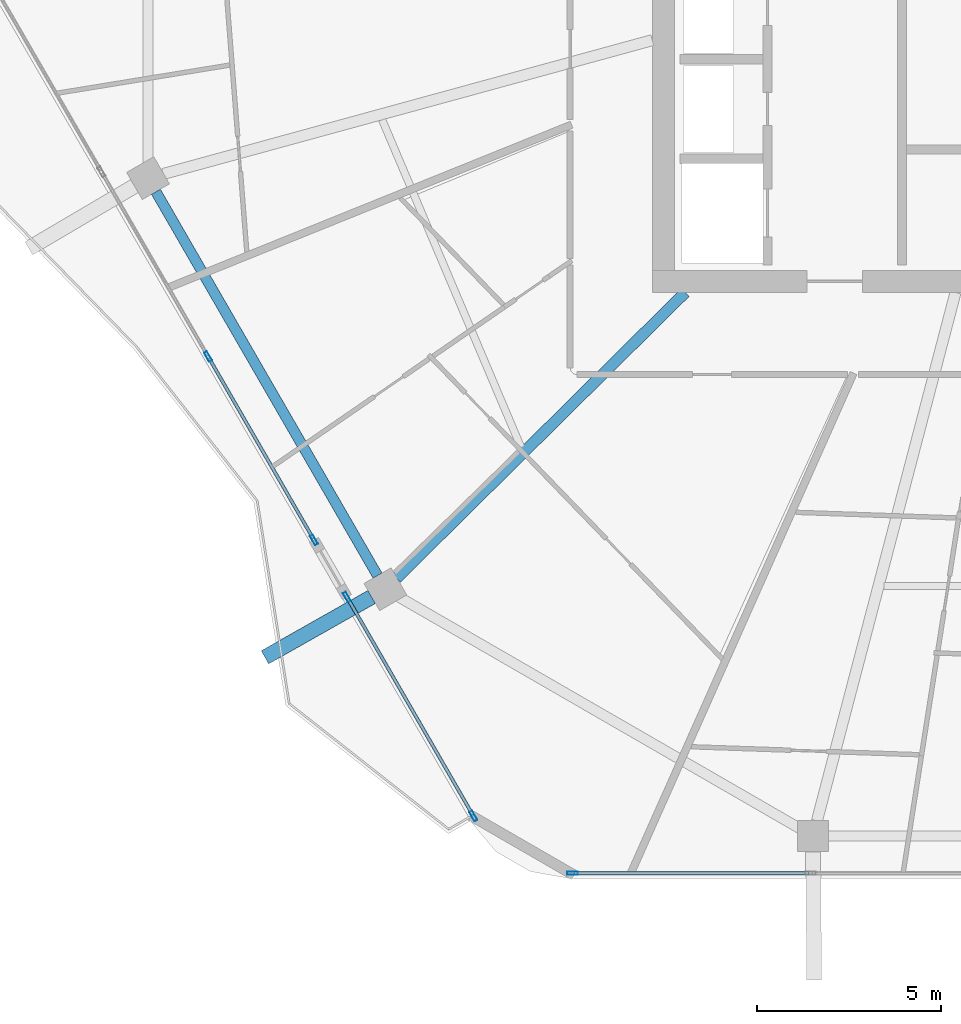
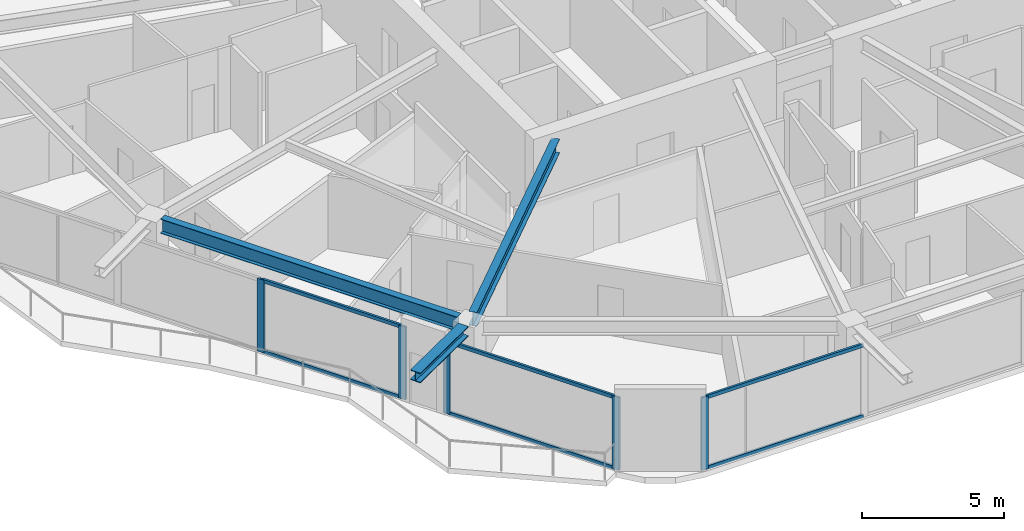
# One storey, part 2 of 26: 11 members, 3 beams, 3 elements without a shape of their own.
"""IFC4 building model written with IfcOpenShell, lengths in metres."""

from ifc_helpers import new_model, si_unit, direction, frame, origin, origin_2d, place, context, subcontext, project, spatial, hollow_rectangle, i_section, extrude, material, material_profile, profile_set, type_object, element, aggregate, save


model = new_model("IFC4")

# Units and contexts
model_context = context("Model", 3, precision=1e-05, world=origin(), true_north=direction((0.0, 1.0)))
body_context = subcontext(model_context, "Body", "Model", "MODEL_VIEW")
ifc_project = project(units=[si_unit("LENGTHUNIT", "METRE"), si_unit("AREAUNIT", "SQUARE_METRE"), si_unit("VOLUMEUNIT", "CUBIC_METRE"), si_unit("PLANEANGLEUNIT", "RADIAN"), si_unit("MASSUNIT", "GRAM", prefix="KILO")], contexts=[model_context])

# Site, building, storey
site_placement = place(None, origin())
site = spatial("IfcSite", under=ifc_project, at=site_placement, CompositionType="ELEMENT")
building_placement = place(site_placement, origin())
building = spatial("IfcBuilding", under=site, at=building_placement, Name="Zuhravey Tower", CompositionType="ELEMENT")
storey_placement = place(building_placement, frame((0.0, 0.0, 295.800048828125)))
storey = spatial("IfcBuildingStorey", under=building, at=storey_placement, Name="L75", CompositionType="ELEMENT", Elevation=295.800048828125)

# Curtain wall, member
ifc_material_1 = material(Name="Thermally broken anodised aluminium", Category="aluminium")
curtain_wall_type = type_object("IfcCurtainWallType", Name="Zone 3-4 High-Rise Curtain Wall CW4", PredefinedType="NOTDEFINED", material=ifc_material_1)
curtain_wall_1_placement = place(storey_placement, origin())
curtain_wall_1 = element("IfcCurtainWall", 1, at=curtain_wall_1_placement, inside=storey, type_object=curtain_wall_type, Name="L75 CW4 CW-L75-F5-1", PredefinedType="NOTDEFINED")
ifc_material_2 = material(Name="Anodised aluminium", Category="aluminium")
ifc_material_profile_1 = material_profile(ifc_material_2, hollow_rectangle(XDim=0.090087890625, YDim=0.284912109375, WallThickness=0.0048828125, at=origin_2d()), Name="ALU-RHS-90x285x5")
ifc_profile_set_1 = profile_set([ifc_material_profile_1], Name="Anodised aluminium")
member_type_1 = type_object("IfcMemberType", Name="Curtain-Wall Mullion 90x180", PredefinedType="MULLION", material=ifc_profile_set_1)
member_1_placement = place(storey_placement, frame((23.0322265625, 6.436279296875, 0.0), z_axis=(0.0, 0.0, 1.0), x_axis=(0.0, -1.0, 0.0)))
member_1 = element("IfcMember", 2, at=member_1_placement, type_object=member_type_1, Name="CW4 mullion 5", PredefinedType="MULLION", context=body_context, shape_type="SweptSolid", body=[
    extrude(hollow_rectangle(XDim=0.090087890625, YDim=0.284912109375, WallThickness=0.0048828125, at=origin_2d()), origin(), (0.0, 0.0, 1.0), 3.1220703125),
])

# Curtain wall, members
curtain_wall_2_placement = place(storey_placement, origin())
curtain_wall_2 = element("IfcCurtainWall", 3, at=curtain_wall_2_placement, inside=storey, type_object=curtain_wall_type, Name="L75 CW4 CW-L75-F4-1", PredefinedType="NOTDEFINED")
member_2_placement = place(storey_placement, frame((20.34521484375, 7.98779296875, 0.0), z_axis=(0.0, 0.0, 1.0), x_axis=(-0.866023942102, -0.500002531699, 0.0)))
member_2 = element("IfcMember", 4, at=member_2_placement, type_object=member_type_1, Name="CW4 mullion 1", PredefinedType="MULLION", context=body_context, shape_type="SweptSolid", body=[
    extrude(hollow_rectangle(XDim=0.090087890625, YDim=0.284912109375, WallThickness=0.0048828125, at=origin_2d()), origin(), (0.0, 0.0, 1.0), 3.1220703125),
])
member_3_placement = place(storey_placement, frame((16.9130859375, 13.93212890625, 0.0), z_axis=(0.0, 0.0, 1.0), x_axis=(-0.866023942102, -0.500002531699, 0.0)))
member_3 = element("IfcMember", 5, at=member_3_placement, type_object=member_type_1, Name="CW4 mullion 2", PredefinedType="MULLION", context=body_context, shape_type="SweptSolid", body=[
    extrude(hollow_rectangle(XDim=0.090087890625, YDim=0.284912109375, WallThickness=0.0048828125, at=origin_2d()), origin(), (0.0, 0.0, 1.0), 3.1220703125),
])

curtain_wall_3_placement = place(storey_placement, origin())
curtain_wall_3 = element("IfcCurtainWall", 6, at=curtain_wall_3_placement, inside=storey, type_object=curtain_wall_type, Name="L75 CW4 CW-L75-F4-2", PredefinedType="NOTDEFINED")
member_4_placement = place(storey_placement, frame((16.01806640625, 15.482421875, 0.0), z_axis=(0.0, 0.0, 1.0), x_axis=(-0.866025782294, -0.499999344402, 0.0)))
member_4 = element("IfcMember", 7, at=member_4_placement, type_object=member_type_1, Name="CW4 mullion 1", PredefinedType="MULLION", context=body_context, shape_type="SweptSolid", body=[
    extrude(hollow_rectangle(XDim=0.090087890625, YDim=0.284912109375, WallThickness=0.0048828125, at=origin_2d()), origin(), (0.0, 0.0, 1.0), 3.1220703125),
])
member_5_placement = place(storey_placement, frame((13.145263671875, 20.4580078125, 0.0), z_axis=(0.0, 0.0, 1.0), x_axis=(-0.866025782294, -0.499999344402, 0.0)))
member_5 = element("IfcMember", 8, at=member_5_placement, type_object=member_type_1, Name="CW4 mullion 2", PredefinedType="MULLION", context=body_context, shape_type="SweptSolid", body=[
    extrude(hollow_rectangle(XDim=0.090087890625, YDim=0.284912109375, WallThickness=0.0048828125, at=origin_2d()), origin(), (0.0, 0.0, 1.0), 3.1220703125),
])

# Member
ifc_material_profile_2 = material_profile(ifc_material_2, hollow_rectangle(XDim=0.090087890625, YDim=0.14990234375, WallThickness=0.0048828125, at=origin_2d()), Name="ALU-RHS-90x150x5")
ifc_profile_set_2 = profile_set([ifc_material_profile_2], Name="Anodised aluminium")
member_type_2 = type_object("IfcMemberType", Name="Curtain-Wall Transom 90x150", PredefinedType="USERDEFINED", material=ifc_profile_set_2)
member_6_placement = place(storey_placement, frame((29.44873046875, 6.436279296875, 0.044921875), z_axis=(-1.0, 0.0, 0.0), x_axis=(0.0, -1.0, 0.0)))
member_6 = element("IfcMember", 9, at=member_6_placement, type_object=member_type_2, Name="CW4 transom 4.1", ObjectType="TRANSOM", PredefinedType="USERDEFINED", context=body_context, shape_type="SweptSolid", body=[
    extrude(hollow_rectangle(XDim=0.090087890625, YDim=0.14990234375, WallThickness=0.0048828125, at=origin_2d()), origin(), (0.0, 0.0, 1.0), 6.371337890625),
])

member_7_placement = place(storey_placement, frame((29.44873046875, 6.436279296875, 3.076904296875), z_axis=(-1.0, 0.0, 0.0), x_axis=(0.0, -1.0, 0.0)))
member_7 = element("IfcMember", 10, at=member_7_placement, type_object=member_type_2, Name="CW4 transom 4.2", ObjectType="TRANSOM", PredefinedType="USERDEFINED", context=body_context, shape_type="SweptSolid", body=[
    extrude(hollow_rectangle(XDim=0.090087890625, YDim=0.14990234375, WallThickness=0.0048828125, at=origin_2d()), origin(), (0.0, 0.0, 1.0), 6.371337890625),
])

aggregate(curtain_wall_1, [member_1, member_6, member_7])

member_8_placement = place(storey_placement, frame((20.322509765625, 8.02685546875, 0.044921875), z_axis=(-0.499995955705, 0.866027738747, 0.0), x_axis=(-0.866027738747, -0.499995955705, 0.0)))
member_8 = element("IfcMember", 11, at=member_8_placement, type_object=member_type_2, Name="CW4 transom 1.1", ObjectType="TRANSOM", PredefinedType="USERDEFINED", context=body_context, shape_type="SweptSolid", body=[
    extrude(hollow_rectangle(XDim=0.090087890625, YDim=0.14990234375, WallThickness=0.0048828125, at=origin_2d()), origin(), (0.0, 0.0, 1.0), 6.77392578125),
])

member_9_placement = place(storey_placement, frame((20.322509765625, 8.02685546875, 3.076904296875), z_axis=(-0.499995955705, 0.866027738747, 0.0), x_axis=(-0.866027738747, -0.499995955705, 0.0)))
member_9 = element("IfcMember", 12, at=member_9_placement, type_object=member_type_2, Name="CW4 transom 1.2", ObjectType="TRANSOM", PredefinedType="USERDEFINED", context=body_context, shape_type="SweptSolid", body=[
    extrude(hollow_rectangle(XDim=0.090087890625, YDim=0.14990234375, WallThickness=0.0048828125, at=origin_2d()), origin(), (0.0, 0.0, 1.0), 6.77392578125),
])

aggregate(curtain_wall_2, [member_2, member_3, member_8, member_9])

member_10_placement = place(storey_placement, frame((15.99560546875, 15.521240234375, 0.044921875), z_axis=(-0.499974063228, 0.866040377869, 0.0), x_axis=(-0.866040377869, -0.499974063228, 0.0)))
member_10 = element("IfcMember", 13, at=member_10_placement, type_object=member_type_2, Name="CW4 transom 1.1", ObjectType="TRANSOM", PredefinedType="USERDEFINED", context=body_context, shape_type="SweptSolid", body=[
    extrude(hollow_rectangle(XDim=0.090087890625, YDim=0.14990234375, WallThickness=0.0048828125, at=origin_2d()), origin(), (0.0, 0.0, 1.0), 5.655517578125),
])

member_11_placement = place(storey_placement, frame((15.99560546875, 15.521240234375, 3.076904296875), z_axis=(-0.499974063228, 0.866040377869, 0.0), x_axis=(-0.866040377869, -0.499974063228, 0.0)))
member_11 = element("IfcMember", 14, at=member_11_placement, type_object=member_type_2, Name="CW4 transom 1.2", ObjectType="TRANSOM", PredefinedType="USERDEFINED", context=body_context, shape_type="SweptSolid", body=[
    extrude(hollow_rectangle(XDim=0.090087890625, YDim=0.14990234375, WallThickness=0.0048828125, at=origin_2d()), origin(), (0.0, 0.0, 1.0), 5.655517578125),
])

aggregate(curtain_wall_3, [member_4, member_5, member_10, member_11])

# Beams
ifc_material_3 = material(Name="Steel SM460", Category="steel")
ifc_material_profile_3 = material_profile(ifc_material_3, i_section(OverallWidth=0.406982421875, OverallDepth=0.427978515625, WebThickness=0.02001953125, FlangeThickness=0.034912109375, at=origin_2d()), Name="H-428x407x20x35")
ifc_profile_set_3 = profile_set([ifc_material_profile_3], Name="Steel SM460")
beam_type_1 = type_object("IfcBeamType", Name="Exoskeleton Node Tie Beam H428x407", PredefinedType="BEAM", material=ifc_profile_set_3)
beam_1_placement = place(storey_placement, frame((17.5830078125, 13.93408203125, 3.3359375), z_axis=(-0.870385064001, -0.492371648619, 0.0), x_axis=(0.492371648619, -0.870385064001, 0.0)))
element("IfcBeam", 15, at=beam_1_placement, inside=storey, type_object=beam_type_1, Name="L75 Exoskeleton Node Tie NT1-08", PredefinedType="BEAM", context=body_context, shape_type="SweptSolid", body=[
    extrude(i_section(OverallWidth=0.406982421875, OverallDepth=0.427978515625, WebThickness=0.02001953125, FlangeThickness=0.034912109375, at=origin_2d()), origin(), (0.0, 0.0, 1.0), 3.326171875),
])
ifc_material_4 = material(Name="Steel SM355", Category="steel")
ifc_material_profile_4 = material_profile(ifc_material_4, i_section(OverallWidth=0.280029296875, OverallDepth=0.6201171875, WebThickness=0.011962890625, FlangeThickness=0.02001953125, at=origin_2d()), Name="H-620x280x12x20")
ifc_profile_set_4 = profile_set([ifc_material_profile_4], Name="Steel SM355")
beam_type_2 = type_object("IfcBeamType", Name="Perimeter Ring Beam H620x280", PredefinedType="BEAM", material=ifc_profile_set_4)
beam_2_placement = place(storey_placement, frame((11.7294921875, 24.930419921875, 3.239990234375), z_axis=(0.500005971936, -0.866021955858, 0.0), x_axis=(0.866021955858, 0.500005971936, 0.0)))
element("IfcBeam", 16, at=beam_2_placement, inside=storey, type_object=beam_type_2, Name="L75 PB3 BM-L75-PB-07", PredefinedType="BEAM", context=body_context, shape_type="SweptSolid", body=[
    extrude(i_section(OverallWidth=0.280029296875, OverallDepth=0.6201171875, WebThickness=0.011962890625, FlangeThickness=0.02001953125, at=origin_2d()), origin(), (0.0, 0.0, 1.0), 12.025634765625),
])
ifc_material_profile_5 = material_profile(ifc_material_4, i_section(OverallWidth=0.300048828125, OverallDepth=0.60009765625, WebThickness=0.011962890625, FlangeThickness=0.02001953125, at=origin_2d()), Name="H-600x300x12x20")
ifc_profile_set_5 = profile_set([ifc_material_profile_5], Name="Steel SM355")
beam_type_3 = type_object("IfcBeamType", Name="Radial Primary Girder H600x300", PredefinedType="BEAM", material=ifc_profile_set_5)
beam_3_placement = place(storey_placement, frame((26.09326171875, 22.197021484375, 3.25), z_axis=(-0.710808169267, -0.70338591577, 0.0), x_axis=(0.70338591577, -0.710808169267, 0.0)))
element("IfcBeam", 17, at=beam_3_placement, inside=storey, type_object=beam_type_3, Name="L75 RG3 BM-L75-RAD-08", PredefinedType="BEAM", context=body_context, shape_type="SweptSolid", body=[
    extrude(i_section(OverallWidth=0.300048828125, OverallDepth=0.60009765625, WebThickness=0.011962890625, FlangeThickness=0.02001953125, at=origin_2d()), origin(), (0.0, 0.0, 1.0), 11.019287109375),
])

save(model, "model.ifc")
